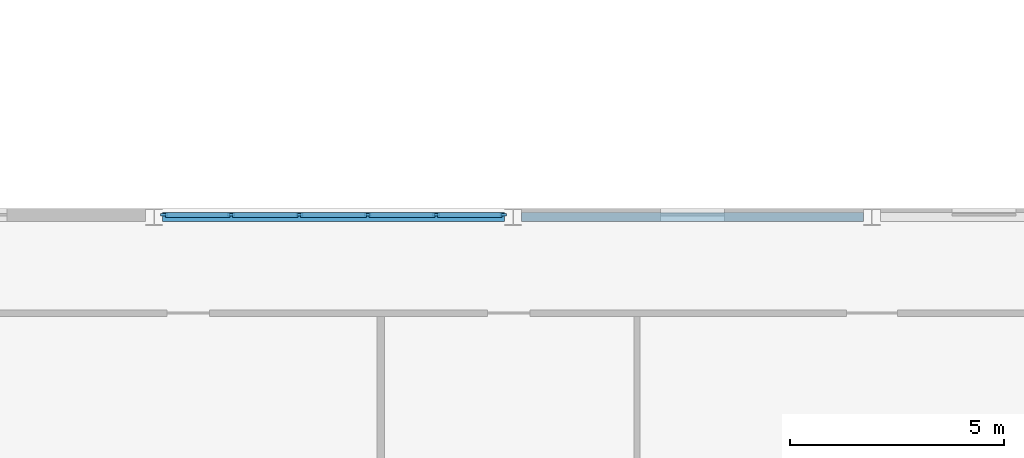
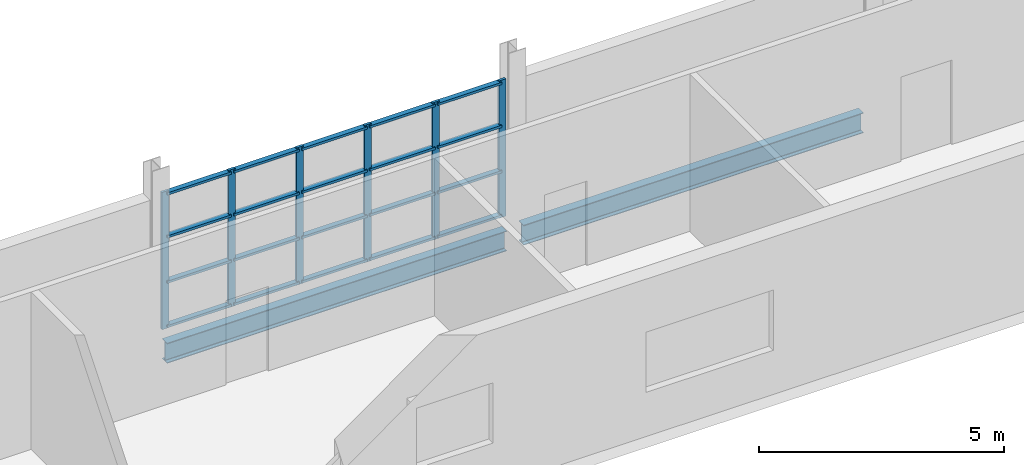
# One storey, part 34 of 96: 26 members, 2 beams, 1 element without a shape of its own.
"""IFC4 building model written with IfcOpenShell, lengths in metres."""

import ifcopenshell
import ifcopenshell.guid

model = None  # the IFC model being written
_history = None  # IfcOwnerHistory: only IFC2X3 demands one
_inside = {}  # id of a spatial element -> (the spatial element, [elements in it])
_under = {}  # id of a project, library or spatial element -> (it, [spatial elements below it])
_declared = {}  # id of a project -> (the project, [libraries it declares])
_typed = {}  # id of a type object -> (the type object, [elements of that type])
_made_of = {}  # id of a material, layer set ... -> (it, [elements and type objects made of it])


def new_model(schema):
    """Start an empty IFC model of exactly this schema.

    Asked for "IFC4X3", IfcOpenShell would pick the latest addendum, in which some entities
    have other attributes; the version numbers below select the first issue.
    IFC2X3 requires an IfcOwnerHistory on every rooted entity: one is made here for all.
    """
    global model, _history
    if schema == "IFC4X3":
        model = ifcopenshell.file(schema_version=(4, 3, 0, 0))
    else:
        model = ifcopenshell.file(schema=schema)
    _inside.clear()
    _under.clear()
    _declared.clear()
    _typed.clear()
    _made_of.clear()
    _history = None
    if model.schema == "IFC2X3":
        org = make("IfcOrganization", Name="unknown")
        user = make(
            "IfcPersonAndOrganization",
            ThePerson=make("IfcPerson", FamilyName="unknown"),
            TheOrganization=org,
        )
        app = make(
            "IfcApplication",
            ApplicationDeveloper=org,
            Version="unknown",
            ApplicationFullName="unknown",
            ApplicationIdentifier="unknown",
        )
        _history = make(
            "IfcOwnerHistory",
            OwningUser=user,
            OwningApplication=app,
            ChangeAction="ADDED",
            CreationDate=0,
        )
    return model


def make(cls, **values):
    """One entity of the class cls with the attributes given. An attribute that is None is left unset."""
    return model.create_entity(
        cls, **{name: value for name, value in values.items() if value is not None}
    )


def rooted(cls, **values):
    """An entity with a GlobalId (a new one), such as an element, a storey or a relation."""
    return make(cls, GlobalId=ifcopenshell.guid.new(), OwnerHistory=_history, **values)


def si_unit(unit_type, name, prefix=None):
    """IfcSIUnit, for example si_unit("LENGTHUNIT", "METRE", prefix="MILLI")."""
    return make("IfcSIUnit", UnitType=unit_type, Prefix=prefix, Name=name)


def assignment(units):
    """IfcUnitAssignment: the units of a project."""
    return None if units is None else make("IfcUnitAssignment", Units=units)


def point(xyz):
    """IfcCartesianPoint."""
    return None if xyz is None else make("IfcCartesianPoint", Coordinates=xyz)


def direction(xyz):
    """IfcDirection."""
    return None if xyz is None else make("IfcDirection", DirectionRatios=xyz)


def frame(location, z_axis=None, x_axis=None):
    """IfcAxis2Placement3D, a coordinate frame: its origin and axes. An axis left out is left unset."""
    return make(
        "IfcAxis2Placement3D",
        Location=point(location),
        Axis=direction(z_axis),
        RefDirection=direction(x_axis),
    )


def frame_2d(location, x_axis=None):
    """IfcAxis2Placement2D, a coordinate frame in the plane: its origin and x axis."""
    return make(
        "IfcAxis2Placement2D", Location=point(location), RefDirection=direction(x_axis)
    )


def origin():
    """The frame at (0, 0, 0) with its axes left unset."""
    return frame((0.0, 0.0, 0.0))


def origin_2d():
    """The frame at (0, 0) in the plane with its x axis left unset."""
    return frame_2d((0.0, 0.0))


def place(relative_to, where):
    """IfcLocalPlacement: puts the frame where relative to a parent placement (None: the world)."""
    return make(
        "IfcLocalPlacement", PlacementRelTo=relative_to, RelativePlacement=where
    )


def context(
    kind, dimensions, precision=None, world=None, true_north=None, identifier=None
):
    """IfcGeometricRepresentationContext, for example the 3D "Model" context."""
    return make(
        "IfcGeometricRepresentationContext",
        ContextIdentifier=identifier,
        ContextType=kind,
        CoordinateSpaceDimension=dimensions,
        Precision=precision,
        WorldCoordinateSystem=world,
        TrueNorth=true_north,
    )


def subcontext(parent, identifier, kind, view, scale=None):
    """IfcGeometricRepresentationSubContext, for example "Body" below "Model"."""
    return make(
        "IfcGeometricRepresentationSubContext",
        ContextIdentifier=identifier,
        ContextType=kind,
        ParentContext=parent,
        TargetScale=scale,
        TargetView=view,
    )


def project(units=None, contexts=None):
    """IfcProject with its units and contexts."""
    return rooted(
        "IfcProject",
        Name="project",
        RepresentationContexts=contexts,
        UnitsInContext=assignment(units),
    )


def spatial(cls, under=None, at=None, **own):
    """A site, building, storey or space (cls), placed at a placement, below another one or the project."""
    s = rooted(cls, ObjectPlacement=at, **own)
    if under is not None:
        _under.setdefault(under.id(), (under, []))[1].append(s)
    return s


def profile(cls, at=None, kind="AREA", **sizes):
    """A parametric profile (cls). Its sizes go by their IFC names, for example OverallWidth=200.0."""
    return make(cls, ProfileType=kind, Position=at, **sizes)


def rectangle(**sizes):
    """IfcRectangleProfileDef."""
    return profile("IfcRectangleProfileDef", **sizes)


def i_section(**sizes):
    """IfcIShapeProfileDef."""
    return profile("IfcIShapeProfileDef", **sizes)


def extrude(swept, where, along, depth):
    """IfcExtrudedAreaSolid: the profile swept, set in the frame where, extruded along a direction by depth."""
    return make(
        "IfcExtrudedAreaSolid",
        SweptArea=swept,
        Position=where,
        ExtrudedDirection=direction(along),
        Depth=depth,
    )


def shape(context_of_items, identifier, shape_type, items):
    """IfcShapeRepresentation: the items that make up one representation, for example the "Body"."""
    return make(
        "IfcShapeRepresentation",
        ContextOfItems=context_of_items,
        RepresentationIdentifier=identifier,
        RepresentationType=shape_type,
        Items=items,
    )


def material(Name=None, Category=None):
    """IfcMaterial."""
    return make("IfcMaterial", Name=Name, Category=Category)


def material_profile(
    of_material, cross_section, Name=None, Category=None, Priority=None
):
    """IfcMaterialProfile: a cross section and its material."""
    return make(
        "IfcMaterialProfile",
        Name=Name,
        Material=of_material,
        Profile=cross_section,
        Priority=Priority,
        Category=Category,
    )


def profile_set(profiles, Name=None, composite=None):
    """IfcMaterialProfileSet."""
    return make(
        "IfcMaterialProfileSet",
        Name=Name,
        MaterialProfiles=profiles,
        CompositeProfile=composite,
    )


def made_of(thing, what):
    """Note that an element or type object is made of a material, layer set ...; save() writes the relation."""
    if what is not None:
        _made_of.setdefault(what.id(), (what, []))[1].append(thing)
    return thing


def type_object(cls, material=None, **own):
    """A type object (cls), such as IfcWallType, which elements share."""
    return made_of(rooted(cls, **own), material)


def element(
    cls,
    number,
    at=None,
    inside=None,
    cuts=None,
    type_object=None,
    material=None,
    context=None,
    identifier="Body",
    shape_type=None,
    held_by="IfcProductDefinitionShape",
    body=None,
    shapes=None,
    **own,
):
    """One element of the class cls, such as IfcWall. Its Tag is "e" and its number.

    at: its placement. inside: the storey or other place that contains it. cuts: it is an
    opening in that element (IfcRelVoidsElement). A single representation is given by context,
    identifier, shape_type and body (its items); several are given by shapes. held_by: the class
    of the entity that holds the representations. save() writes the other relations.
    """
    e = rooted(cls, Tag="e%d" % number, ObjectPlacement=at, **own)
    if body is not None:
        shapes = [shape(context, identifier, shape_type, body)]
    if shapes is not None:
        e.Representation = make(held_by, Representations=shapes)
    if inside is not None:
        _inside.setdefault(inside.id(), (inside, []))[1].append(e)
    if cuts is not None:
        rooted(
            "IfcRelVoidsElement", RelatingBuildingElement=cuts, RelatedOpeningElement=e
        )
    if type_object is not None:
        _typed.setdefault(type_object.id(), (type_object, []))[1].append(e)
    return made_of(e, material)


def aggregate(whole, parts):
    """IfcRelAggregates: a whole, such as a stair, and the parts it consists of."""
    return rooted("IfcRelAggregates", RelatingObject=whole, RelatedObjects=parts)


def save(model, path):
    """Write the relations noted so far, then the file.

    IfcRelAggregates (storeys below a building ...), IfcRelContainedInSpatialStructure (elements
    in a storey), IfcRelDefinesByType, IfcRelAssociatesMaterial and IfcRelDeclares: one each for
    every whole, place, type object, material and project.
    """
    for whole, parts in _under.values():
        aggregate(whole, parts)
    for where, things in _inside.values():
        rooted(
            "IfcRelContainedInSpatialStructure",
            RelatedElements=things,
            RelatingStructure=where,
        )
    for kind, things in _typed.values():
        rooted("IfcRelDefinesByType", RelatedObjects=things, RelatingType=kind)
    for what, things in _made_of.values():
        rooted("IfcRelAssociatesMaterial", RelatedObjects=things, RelatingMaterial=what)
    for by, libraries in _declared.values():
        rooted("IfcRelDeclares", RelatingContext=by, RelatedDefinitions=libraries)
    model.write(path)


model = new_model("IFC4")

# Units and contexts
model_context = context("Model", 3, precision=1e-05, world=origin(), true_north=direction((0.0, 1.0)))
body_context = subcontext(model_context, "Body", "Model", "MODEL_VIEW")
ifc_project = project(units=[si_unit("LENGTHUNIT", "METRE"), si_unit("AREAUNIT", "SQUARE_METRE"), si_unit("VOLUMEUNIT", "CUBIC_METRE"), si_unit("PLANEANGLEUNIT", "RADIAN"), si_unit("MASSUNIT", "GRAM", prefix="KILO")], contexts=[model_context])

# Site, building, storey
site_placement = place(None, origin())
site = spatial("IfcSite", under=ifc_project, at=site_placement, CompositionType="ELEMENT")
building_placement = place(site_placement, origin())
building = spatial("IfcBuilding", under=site, at=building_placement, Name="Cresset Court Congress Hotel", CompositionType="ELEMENT")
storey_placement = place(building_placement, frame((0.0, 0.0, 6.0)))
storey = spatial("IfcBuildingStorey", under=building, at=storey_placement, Name="L01", CompositionType="ELEMENT", Elevation=6.0)

# Curtain wall, members
ifc_material_1 = material(Name="Aluminium frame with insulated glass", Category="aluminium")
curtain_wall_type = type_object("IfcCurtainWallType", Name="Curtain wall module 1600", PredefinedType="NOTDEFINED", material=ifc_material_1)
curtain_wall_placement = place(storey_placement, origin())
curtain_wall = element("IfcCurtainWall", 1, at=curtain_wall_placement, inside=storey, type_object=curtain_wall_type, Name="Curtain wall N", PredefinedType="NOTDEFINED")
ifc_material_2 = material(Name="Aluminium", Category="aluminium")
ifc_material_profile_1 = material_profile(ifc_material_2, rectangle(XDim=0.1201171875, YDim=0.06005859375, at=origin_2d()), Name="AL 120x60")
ifc_profile_set_1 = profile_set([ifc_material_profile_1], Name="Aluminium")
member_type_1 = type_object("IfcMemberType", Name="CW transom RECT 120x60", PredefinedType="USERDEFINED", material=ifc_profile_set_1)
member_1_placement = place(storey_placement, frame((25.4599609375, 109.050048828125, 0.06005859375), z_axis=(1.0, 0.0, 0.0), x_axis=(0.0, 1.0, 0.0)))
member_1 = element("IfcMember", 2, at=member_1_placement, type_object=member_type_1, Name="D-X3 transom 1.1", ObjectType="TRANSOM", PredefinedType="USERDEFINED", context=body_context, shape_type="SweptSolid", body=[
    extrude(rectangle(XDim=0.1201171875, YDim=0.06005859375, at=origin_2d()), origin(), (0.0, 0.0, 1.0), 1.510009765625),
])
member_2_placement = place(storey_placement, frame((25.4599609375, 109.050048828125, 1.1630859375), z_axis=(1.0, 0.0, 0.0), x_axis=(0.0, 1.0, 0.0)))
member_2 = element("IfcMember", 3, at=member_2_placement, type_object=member_type_1, Name="D-X3 transom 1.2", ObjectType="TRANSOM", PredefinedType="USERDEFINED", context=body_context, shape_type="SweptSolid", body=[
    extrude(rectangle(XDim=0.1201171875, YDim=0.06005859375, at=origin_2d()), origin(), (0.0, 0.0, 1.0), 1.510009765625),
])
member_3_placement = place(storey_placement, frame((25.4599609375, 109.050048828125, 2.291015625), z_axis=(1.0, 0.0, 0.0), x_axis=(0.0, 1.0, 0.0)))
member_3 = element("IfcMember", 4, at=member_3_placement, type_object=member_type_1, Name="D-X3 transom 1.3", ObjectType="TRANSOM", PredefinedType="USERDEFINED", context=body_context, shape_type="SweptSolid", body=[
    extrude(rectangle(XDim=0.1201171875, YDim=0.06005859375, at=origin_2d()), origin(), (0.0, 0.0, 1.0), 1.510009765625),
])
member_4_placement = place(storey_placement, frame((25.4599609375, 109.050048828125, 3.360107421875), z_axis=(1.0, 0.0, 0.0), x_axis=(0.0, 1.0, 0.0)))
member_4 = element("IfcMember", 5, at=member_4_placement, type_object=member_type_1, Name="D-X3 transom 1.4", ObjectType="TRANSOM", PredefinedType="USERDEFINED", context=body_context, shape_type="SweptSolid", body=[
    extrude(rectangle(XDim=0.1201171875, YDim=0.06005859375, at=origin_2d()), origin(), (0.0, 0.0, 1.0), 1.510009765625),
])
member_5_placement = place(storey_placement, frame((27.030029296875, 109.050048828125, 0.06005859375), z_axis=(1.0, 0.0, 0.0), x_axis=(0.0, 1.0, 0.0)))
member_5 = element("IfcMember", 6, at=member_5_placement, type_object=member_type_1, Name="D-X3 transom 2.1", ObjectType="TRANSOM", PredefinedType="USERDEFINED", context=body_context, shape_type="SweptSolid", body=[
    extrude(rectangle(XDim=0.1201171875, YDim=0.06005859375, at=origin_2d()), origin(), (0.0, 0.0, 1.0), 1.5400390625),
])
member_6_placement = place(storey_placement, frame((27.030029296875, 109.050048828125, 1.1630859375), z_axis=(1.0, 0.0, 0.0), x_axis=(0.0, 1.0, 0.0)))
member_6 = element("IfcMember", 7, at=member_6_placement, type_object=member_type_1, Name="D-X3 transom 2.2", ObjectType="TRANSOM", PredefinedType="USERDEFINED", context=body_context, shape_type="SweptSolid", body=[
    extrude(rectangle(XDim=0.1201171875, YDim=0.06005859375, at=origin_2d()), origin(), (0.0, 0.0, 1.0), 1.5400390625),
])
member_7_placement = place(storey_placement, frame((27.030029296875, 109.050048828125, 2.291015625), z_axis=(1.0, 0.0, 0.0), x_axis=(0.0, 1.0, 0.0)))
member_7 = element("IfcMember", 8, at=member_7_placement, type_object=member_type_1, Name="D-X3 transom 2.3", ObjectType="TRANSOM", PredefinedType="USERDEFINED", context=body_context, shape_type="SweptSolid", body=[
    extrude(rectangle(XDim=0.1201171875, YDim=0.06005859375, at=origin_2d()), origin(), (0.0, 0.0, 1.0), 1.5400390625),
])
member_8_placement = place(storey_placement, frame((27.030029296875, 109.050048828125, 3.360107421875), z_axis=(1.0, 0.0, 0.0), x_axis=(0.0, 1.0, 0.0)))
member_8 = element("IfcMember", 9, at=member_8_placement, type_object=member_type_1, Name="D-X3 transom 2.4", ObjectType="TRANSOM", PredefinedType="USERDEFINED", context=body_context, shape_type="SweptSolid", body=[
    extrude(rectangle(XDim=0.1201171875, YDim=0.06005859375, at=origin_2d()), origin(), (0.0, 0.0, 1.0), 1.5400390625),
])
member_9_placement = place(storey_placement, frame((28.6298828125, 109.050048828125, 0.06005859375), z_axis=(1.0, 0.0, 0.0), x_axis=(0.0, 1.0, 0.0)))
member_9 = element("IfcMember", 10, at=member_9_placement, type_object=member_type_1, Name="D-X3 transom 3.1", ObjectType="TRANSOM", PredefinedType="USERDEFINED", context=body_context, shape_type="SweptSolid", body=[
    extrude(rectangle(XDim=0.1201171875, YDim=0.06005859375, at=origin_2d()), origin(), (0.0, 0.0, 1.0), 1.5400390625),
])
member_10_placement = place(storey_placement, frame((28.6298828125, 109.050048828125, 1.1630859375), z_axis=(1.0, 0.0, 0.0), x_axis=(0.0, 1.0, 0.0)))
member_10 = element("IfcMember", 11, at=member_10_placement, type_object=member_type_1, Name="D-X3 transom 3.2", ObjectType="TRANSOM", PredefinedType="USERDEFINED", context=body_context, shape_type="SweptSolid", body=[
    extrude(rectangle(XDim=0.1201171875, YDim=0.06005859375, at=origin_2d()), origin(), (0.0, 0.0, 1.0), 1.5400390625),
])
member_11_placement = place(storey_placement, frame((28.6298828125, 109.050048828125, 2.291015625), z_axis=(1.0, 0.0, 0.0), x_axis=(0.0, 1.0, 0.0)))
member_11 = element("IfcMember", 12, at=member_11_placement, type_object=member_type_1, Name="D-X3 transom 3.3", ObjectType="TRANSOM", PredefinedType="USERDEFINED", context=body_context, shape_type="SweptSolid", body=[
    extrude(rectangle(XDim=0.1201171875, YDim=0.06005859375, at=origin_2d()), origin(), (0.0, 0.0, 1.0), 1.5400390625),
])
member_12_placement = place(storey_placement, frame((28.6298828125, 109.050048828125, 3.360107421875), z_axis=(1.0, 0.0, 0.0), x_axis=(0.0, 1.0, 0.0)))
member_12 = element("IfcMember", 13, at=member_12_placement, type_object=member_type_1, Name="D-X3 transom 3.4", ObjectType="TRANSOM", PredefinedType="USERDEFINED", context=body_context, shape_type="SweptSolid", body=[
    extrude(rectangle(XDim=0.1201171875, YDim=0.06005859375, at=origin_2d()), origin(), (0.0, 0.0, 1.0), 1.5400390625),
])
member_13_placement = place(storey_placement, frame((30.22998046875, 109.050048828125, 0.06005859375), z_axis=(1.0, 0.0, 0.0), x_axis=(0.0, 1.0, 0.0)))
member_13 = element("IfcMember", 14, at=member_13_placement, type_object=member_type_1, Name="D-X3 transom 4.1", ObjectType="TRANSOM", PredefinedType="USERDEFINED", context=body_context, shape_type="SweptSolid", body=[
    extrude(rectangle(XDim=0.1201171875, YDim=0.06005859375, at=origin_2d()), origin(), (0.0, 0.0, 1.0), 1.5400390625),
])
member_14_placement = place(storey_placement, frame((30.22998046875, 109.050048828125, 1.1630859375), z_axis=(1.0, 0.0, 0.0), x_axis=(0.0, 1.0, 0.0)))
member_14 = element("IfcMember", 15, at=member_14_placement, type_object=member_type_1, Name="D-X3 transom 4.2", ObjectType="TRANSOM", PredefinedType="USERDEFINED", context=body_context, shape_type="SweptSolid", body=[
    extrude(rectangle(XDim=0.1201171875, YDim=0.06005859375, at=origin_2d()), origin(), (0.0, 0.0, 1.0), 1.5400390625),
])
member_15_placement = place(storey_placement, frame((30.22998046875, 109.050048828125, 2.291015625), z_axis=(1.0, 0.0, 0.0), x_axis=(0.0, 1.0, 0.0)))
member_15 = element("IfcMember", 16, at=member_15_placement, type_object=member_type_1, Name="D-X3 transom 4.3", ObjectType="TRANSOM", PredefinedType="USERDEFINED", context=body_context, shape_type="SweptSolid", body=[
    extrude(rectangle(XDim=0.1201171875, YDim=0.06005859375, at=origin_2d()), origin(), (0.0, 0.0, 1.0), 1.5400390625),
])
member_16_placement = place(storey_placement, frame((30.22998046875, 109.050048828125, 3.360107421875), z_axis=(1.0, 0.0, 0.0), x_axis=(0.0, 1.0, 0.0)))
member_16 = element("IfcMember", 17, at=member_16_placement, type_object=member_type_1, Name="D-X3 transom 4.4", ObjectType="TRANSOM", PredefinedType="USERDEFINED", context=body_context, shape_type="SweptSolid", body=[
    extrude(rectangle(XDim=0.1201171875, YDim=0.06005859375, at=origin_2d()), origin(), (0.0, 0.0, 1.0), 1.5400390625),
])
member_17_placement = place(storey_placement, frame((31.830078125, 109.050048828125, 0.06005859375), z_axis=(1.0, 0.0, 0.0), x_axis=(0.0, 1.0, 0.0)))
member_17 = element("IfcMember", 18, at=member_17_placement, type_object=member_type_1, Name="D-X3 transom 5.1", ObjectType="TRANSOM", PredefinedType="USERDEFINED", context=body_context, shape_type="SweptSolid", body=[
    extrude(rectangle(XDim=0.1201171875, YDim=0.06005859375, at=origin_2d()), origin(), (0.0, 0.0, 1.0), 1.510009765625),
])
member_18_placement = place(storey_placement, frame((31.830078125, 109.050048828125, 1.1630859375), z_axis=(1.0, 0.0, 0.0), x_axis=(0.0, 1.0, 0.0)))
member_18 = element("IfcMember", 19, at=member_18_placement, type_object=member_type_1, Name="D-X3 transom 5.2", ObjectType="TRANSOM", PredefinedType="USERDEFINED", context=body_context, shape_type="SweptSolid", body=[
    extrude(rectangle(XDim=0.1201171875, YDim=0.06005859375, at=origin_2d()), origin(), (0.0, 0.0, 1.0), 1.510009765625),
])
member_19_placement = place(storey_placement, frame((31.830078125, 109.050048828125, 2.291015625), z_axis=(1.0, 0.0, 0.0), x_axis=(0.0, 1.0, 0.0)))
member_19 = element("IfcMember", 20, at=member_19_placement, type_object=member_type_1, Name="D-X3 transom 5.3", ObjectType="TRANSOM", PredefinedType="USERDEFINED", context=body_context, shape_type="SweptSolid", body=[
    extrude(rectangle(XDim=0.1201171875, YDim=0.06005859375, at=origin_2d()), origin(), (0.0, 0.0, 1.0), 1.510009765625),
])
member_20_placement = place(storey_placement, frame((31.830078125, 109.050048828125, 3.360107421875), z_axis=(1.0, 0.0, 0.0), x_axis=(0.0, 1.0, 0.0)))
member_20 = element("IfcMember", 21, at=member_20_placement, type_object=member_type_1, Name="D-X3 transom 5.4", ObjectType="TRANSOM", PredefinedType="USERDEFINED", context=body_context, shape_type="SweptSolid", body=[
    extrude(rectangle(XDim=0.1201171875, YDim=0.06005859375, at=origin_2d()), origin(), (0.0, 0.0, 1.0), 1.510009765625),
])
ifc_material_3 = material(Name="Anodised aluminium", Category="aluminium")
ifc_material_profile_2 = material_profile(ifc_material_3, rectangle(XDim=0.06005859375, YDim=0.159912109375, at=origin_2d()), Name="AL60x160")
ifc_profile_set_2 = profile_set([ifc_material_profile_2], Name="Anodised aluminium")
member_type_2 = type_object("IfcMemberType", Name="Curtain wall mullion 60x160", PredefinedType="MULLION", material=ifc_profile_set_2)
member_21_placement = place(storey_placement, frame((25.429931640625, 109.050048828125, 0.0), z_axis=(0.0, 0.0, 1.0), x_axis=(0.0, 1.0, 0.0)))
member_21 = element("IfcMember", 22, at=member_21_placement, type_object=member_type_2, Name="D-X3 mullion 1", PredefinedType="MULLION", context=body_context, shape_type="SweptSolid", body=[
    extrude(rectangle(XDim=0.06005859375, YDim=0.159912109375, at=origin_2d()), origin(), (0.0, 0.0, 1.0), 3.419921875),
])
member_22_placement = place(storey_placement, frame((27.0, 109.050048828125, 0.0), z_axis=(0.0, 0.0, 1.0), x_axis=(0.0, 1.0, 0.0)))
member_22 = element("IfcMember", 23, at=member_22_placement, type_object=member_type_2, Name="D-X3 mullion 2", PredefinedType="MULLION", context=body_context, shape_type="SweptSolid", body=[
    extrude(rectangle(XDim=0.06005859375, YDim=0.159912109375, at=origin_2d()), origin(), (0.0, 0.0, 1.0), 3.419921875),
])
member_23_placement = place(storey_placement, frame((28.60009765625, 109.050048828125, 0.0), z_axis=(0.0, 0.0, 1.0), x_axis=(0.0, 1.0, 0.0)))
member_23 = element("IfcMember", 24, at=member_23_placement, type_object=member_type_2, Name="D-X3 mullion 3", PredefinedType="MULLION", context=body_context, shape_type="SweptSolid", body=[
    extrude(rectangle(XDim=0.06005859375, YDim=0.159912109375, at=origin_2d()), origin(), (0.0, 0.0, 1.0), 3.419921875),
])
member_24_placement = place(storey_placement, frame((30.199951171875, 109.050048828125, 0.0), z_axis=(0.0, 0.0, 1.0), x_axis=(0.0, 1.0, 0.0)))
member_24 = element("IfcMember", 25, at=member_24_placement, type_object=member_type_2, Name="D-X3 mullion 4", PredefinedType="MULLION", context=body_context, shape_type="SweptSolid", body=[
    extrude(rectangle(XDim=0.06005859375, YDim=0.159912109375, at=origin_2d()), origin(), (0.0, 0.0, 1.0), 3.419921875),
])
member_25_placement = place(storey_placement, frame((31.800048828125, 109.050048828125, 0.0), z_axis=(0.0, 0.0, 1.0), x_axis=(0.0, 1.0, 0.0)))
member_25 = element("IfcMember", 26, at=member_25_placement, type_object=member_type_2, Name="D-X3 mullion 5", PredefinedType="MULLION", context=body_context, shape_type="SweptSolid", body=[
    extrude(rectangle(XDim=0.06005859375, YDim=0.159912109375, at=origin_2d()), origin(), (0.0, 0.0, 1.0), 3.419921875),
])
member_26_placement = place(storey_placement, frame((33.3701171875, 109.050048828125, 0.0), z_axis=(0.0, 0.0, 1.0), x_axis=(0.0, 1.0, 0.0)))
member_26 = element("IfcMember", 27, at=member_26_placement, type_object=member_type_2, Name="D-X3 mullion 6", PredefinedType="MULLION", context=body_context, shape_type="SweptSolid", body=[
    extrude(rectangle(XDim=0.06005859375, YDim=0.159912109375, at=origin_2d()), origin(), (0.0, 0.0, 1.0), 3.419921875),
])
aggregate(curtain_wall, [member_21, member_22, member_23, member_24, member_25, member_26, member_1, member_2, member_3, member_4, member_5, member_6, member_7, member_8, member_9, member_10, member_11, member_12, member_13, member_14, member_15, member_16, member_17, member_18, member_19, member_20])

# Beams
ifc_material_4 = material(Name="Structural steel Q355B", Category="steel")
ifc_material_profile_3 = material_profile(ifc_material_4, i_section(OverallWidth=0.199951171875, OverallDepth=0.5, WebThickness=0.010009765625, FlangeThickness=0.01611328125, FilletRadius=0.012939453125, at=origin_2d()), Name="HN500x200x10x16")
ifc_profile_set_3 = profile_set([ifc_material_profile_3], Name="Structural steel Q355B")
beam_type = type_object("IfcBeamType", Name="Steel edge beam HN500x200x10x16 external", PredefinedType="BEAM", material=ifc_profile_set_3)
for number, where, z_axis, x_axis, name in (
    (28, (25.39990234375, 109.0, -0.530029296875), (1.0, 0.0, 0.0), (0.0, 1.0, 0.0), "North edge beam L00 3"),
    (29, (33.800048828125, 109.0, -0.530029296875), (1.0, 0.0, 0.0), (0.0, 1.0, 0.0), "North edge beam L00 4"),
):
    element("IfcBeam", number, at=place(storey_placement, frame(where, z_axis=z_axis, x_axis=x_axis)), inside=storey, type_object=beam_type, Name=name, PredefinedType="BEAM", context=body_context, shape_type="SweptSolid", body=[
        extrude(i_section(OverallWidth=0.199951171875, OverallDepth=0.5, WebThickness=0.010009765625, FlangeThickness=0.01611328125, FilletRadius=0.012939453125, at=origin_2d()), origin(), (0.0, 0.0, 1.0), 8.0),
    ])

save(model, "model.ifc")
